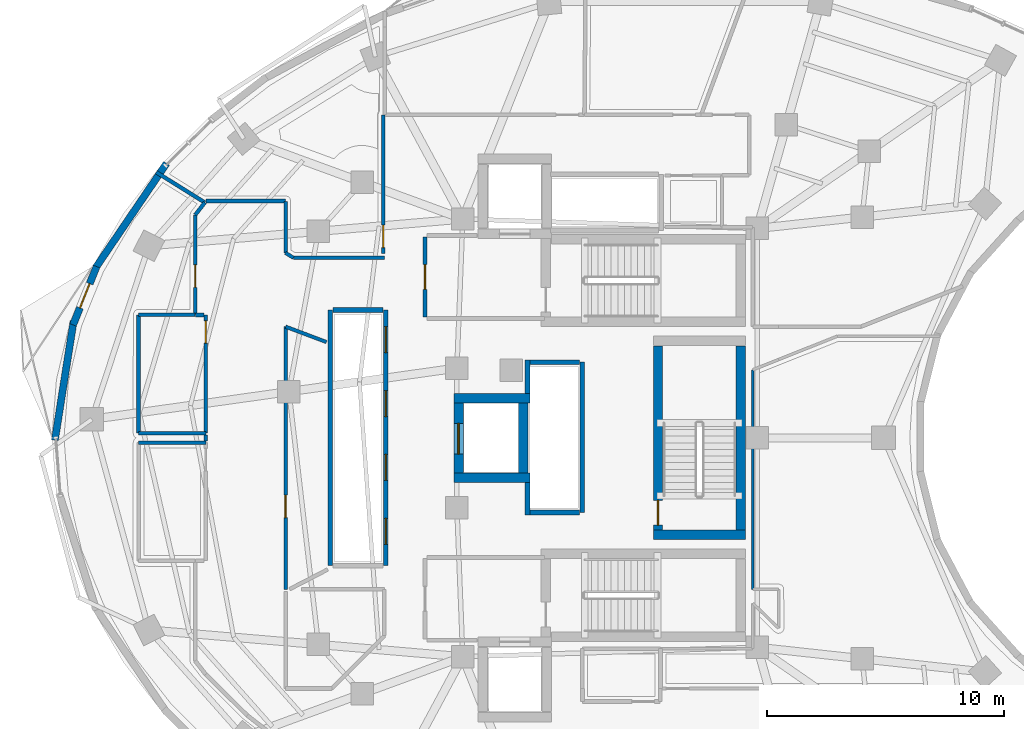
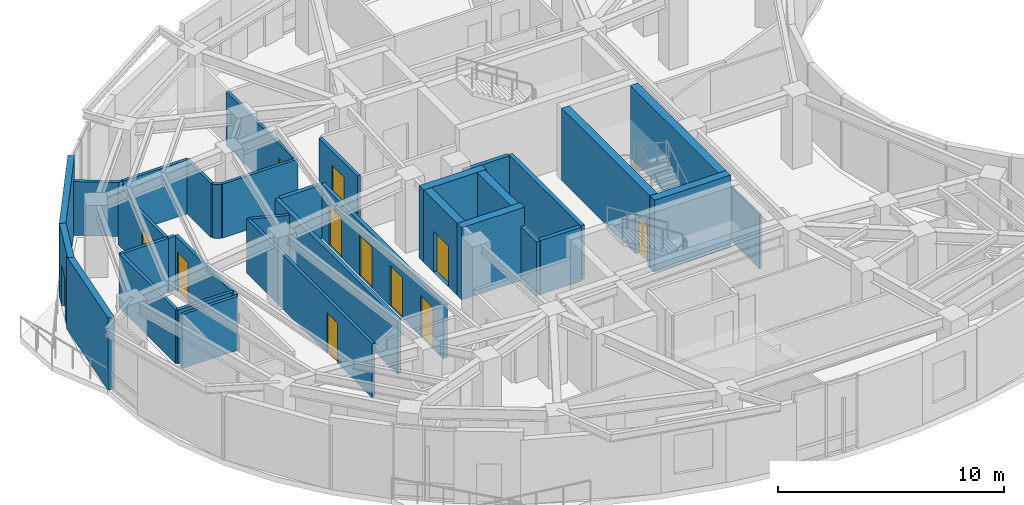
# One storey, part 8 of 13: 37 walls, 12 doors, 12 openings.
"""IFC4 building model written with IfcOpenShell, lengths in metres."""

from ifc_helpers import new_model, si_unit, direction, frame, frame_2d, origin, place, context, subcontext, project, spatial, rectangle, extrude, material, layer, layer_set, type_object, element, fill, save


model = new_model("IFC4")

# Units and contexts
model_context = context("Model", 3, precision=1e-05, world=origin(), true_north=direction((0.0, 1.0)))
body_context = subcontext(model_context, "Body", "Model", "MODEL_VIEW")
ifc_project = project(units=[si_unit("LENGTHUNIT", "METRE"), si_unit("AREAUNIT", "SQUARE_METRE"), si_unit("VOLUMEUNIT", "CUBIC_METRE"), si_unit("PLANEANGLEUNIT", "RADIAN"), si_unit("MASSUNIT", "GRAM", prefix="KILO")], contexts=[model_context])

# Site, building, storey
site_placement = place(None, origin())
site = spatial("IfcSite", under=ifc_project, at=site_placement, CompositionType="ELEMENT")
building_placement = place(site_placement, origin())
building = spatial("IfcBuilding", under=site, at=building_placement, Name="Korentha Bioscience Tower", CompositionType="ELEMENT")
storey_placement = place(building_placement, frame((0.0, 0.0, 187.800048828125)))
storey = spatial("IfcBuildingStorey", under=building, at=storey_placement, Name="L43", CompositionType="ELEMENT", Elevation=187.800048828125)

# Wall, opening, door
ifc_material_1 = material(Name="Double-Stud Acoustic Gypsum", Category="gypsum")
ifc_layer_1 = layer(ifc_material_1, 0.14990234375, Name="Double-Stud Acoustic Gypsum")
ifc_layer_set_1 = layer_set([ifc_layer_1], Name="Double-Stud Acoustic Gypsum (IW-L150)")
wall_type_1 = type_object("IfcWallType", Name="Acoustic Laboratory Partition Wall 150", PredefinedType="PARTITIONING", material=ifc_layer_set_1)
wall_1_placement = place(storey_placement, frame((17.610107421875, 20.60205078125, 0.0), z_axis=(0.0, 0.0, 1.0), x_axis=(0.0, 1.0, 0.0)))
wall_1 = element("IfcWall", 1, at=wall_1_placement, inside=storey, type_object=wall_type_1, Name="L43 Biomechanical Motion Analysis Lab 02 Entrance Wall", PredefinedType="PARTITIONING", context=body_context, shape_type="SweptSolid", body=[
    extrude(rectangle(XDim=11.095947265625, YDim=0.14990234375, at=frame_2d((5.5478515625, 0.0))), origin(), (0.0, 0.0, 1.0), 2.909912109375),
])
opening_1_placement = place(wall_1_placement, frame((3.030029296875, 0.0, 0.0)))
opening_1 = element("IfcOpeningElement", 2, at=opening_1_placement, cuts=wall_1, Name="Opening ID-10L", PredefinedType="OPENING", context=body_context, shape_type="SweptSolid", body=[
    extrude(rectangle(XDim=0.949951171875, YDim=2.14990234375, at=frame_2d((0.47509765625, 1.074951171875))), frame((0.0, 0.08984375, 0.0), z_axis=(0.0, -1.0, 0.0), x_axis=(1.0, 0.0, 0.0)), (0.0, 0.0, 1.0), 0.1796875),
])
ifc_material_2 = material(Name="Phenolic Laminate Timber Core", Category="wood")
door_type_1 = type_object("IfcDoorType", Name="Laboratory Single Leaf Door 950x2150 Left", OperationType="SINGLE_SWING_LEFT", PredefinedType="DOOR", material=ifc_material_2)
door_1_placement = place(opening_1_placement, origin())
door_1 = element("IfcDoor", 3, at=door_1_placement, inside=storey, type_object=door_type_1, Name="L43 Biomechanical Motion Analysis Lab 02 Door", OperationType="SINGLE_SWING_LEFT", OverallHeight=2.14990234375, OverallWidth=0.949951171875, PredefinedType="DOOR", context=body_context, shape_type="SweptSolid", body=[
    extrude(rectangle(XDim=0.949951171875, YDim=2.14990234375, at=frame_2d((0.47509765625, 1.074951171875))), frame((0.0, 0.02490234375, 0.0), z_axis=(0.0, -1.0, 0.0), x_axis=(1.0, 0.0, 0.0)), (0.0, 0.0, 1.0), 0.050048828125),
])
fill(opening_1, door_1)

wall_2_placement = place(storey_placement, frame((21.739990234375, 40.64990234375, 0.0), z_axis=(0.0, 0.0, 1.0), x_axis=(0.0, -1.0, 0.0)))
wall_2 = element("IfcWall", 4, at=wall_2_placement, inside=storey, type_object=wall_type_1, Name="L43 Automated High-Throughput Assay Lab 09 Entrance Wall", PredefinedType="PARTITIONING", context=body_context, shape_type="SweptSolid", body=[
    extrude(rectangle(XDim=5.849853515625, YDim=0.14990234375, at=frame_2d((2.9248046875, 0.0))), origin(), (0.0, 0.0, 1.0), 2.909912109375),
])
opening_2_placement = place(wall_2_placement, frame((4.659912109375, 0.0, 0.0)))
opening_2 = element("IfcOpeningElement", 5, at=opening_2_placement, cuts=wall_2, Name="Opening ID-10R", PredefinedType="OPENING", context=body_context, shape_type="SweptSolid", body=[
    extrude(rectangle(XDim=0.949951171875, YDim=2.14990234375, at=frame_2d((0.47509765625, 1.074951171875))), frame((0.0, 0.08984375, 0.0), z_axis=(0.0, -1.0, 0.0), x_axis=(1.0, 0.0, 0.0)), (0.0, 0.0, 1.0), 0.1796875),
])
door_type_2 = type_object("IfcDoorType", Name="Laboratory Single Leaf Door 950x2150 Right", OperationType="SINGLE_SWING_RIGHT", PredefinedType="DOOR", material=ifc_material_2)
door_2_placement = place(opening_2_placement, origin())
door_2 = element("IfcDoor", 6, at=door_2_placement, inside=storey, type_object=door_type_2, Name="L43 Automated High-Throughput Assay Lab 09 Door", OperationType="SINGLE_SWING_RIGHT", OverallHeight=2.14990234375, OverallWidth=0.949951171875, PredefinedType="DOOR", context=body_context, shape_type="SweptSolid", body=[
    extrude(rectangle(XDim=0.949951171875, YDim=2.14990234375, at=frame_2d((0.47509765625, 1.074951171875))), frame((0.0, 0.02490234375, 0.0), z_axis=(0.0, -1.0, 0.0), x_axis=(1.0, 0.0, 0.0)), (0.0, 0.0, 1.0), 0.050048828125),
])
fill(opening_2, door_2)

# Walls
wall_3_placement = place(storey_placement, frame((11.39990234375, 26.800048828125, 0.0), z_axis=(0.0, 0.0, 1.0), x_axis=(1.0, 0.0, 0.0)))
element("IfcWall", 7, at=wall_3_placement, inside=storey, type_object=wall_type_1, Name="L43 Interior Partition 024", PredefinedType="PARTITIONING", context=body_context, shape_type="SweptSolid", body=[
    extrude(rectangle(XDim=2.840087890625, YDim=0.14990234375, at=frame_2d((1.419921875, 0.0))), origin(), (0.0, 0.0, 1.0), 2.909912109375),
])
wall_4_placement = place(storey_placement, frame((17.615966796875, 31.697998046875, 0.0), z_axis=(0.0, 0.0, 1.0), x_axis=(0.936061955156, -0.351835211583, 0.0)))
element("IfcWall", 8, at=wall_4_placement, inside=storey, type_object=wall_type_1, Name="L43 Interior Partition 037", PredefinedType="PARTITIONING", context=body_context, shape_type="SweptSolid", body=[
    extrude(rectangle(XDim=1.841552734375, YDim=0.14990234375, at=frame_2d((0.9208984375, 0.0))), origin(), (0.0, 0.0, 1.0), 2.909912109375),
])
wall_5_placement = place(storey_placement, frame((21.7900390625, 34.610107421875, 0.0), z_axis=(0.0, 0.0, 1.0), x_axis=(-1.0, 0.0, 0.0)))
element("IfcWall", 9, at=wall_5_placement, inside=storey, type_object=wall_type_1, Name="L43 Interior Partition 070", PredefinedType="PARTITIONING", context=body_context, shape_type="SweptSolid", body=[
    extrude(rectangle(XDim=3.844482421875, YDim=0.14990234375, at=frame_2d((1.92236328125, 0.0))), origin(), (0.0, 0.0, 1.0), 2.909912109375),
])
wall_6_placement = place(storey_placement, frame((17.945556640625, 34.610107421875, 0.0), z_axis=(0.0, 0.0, 1.0), x_axis=(-0.84820632616, 0.529665959131, 0.0)))
element("IfcWall", 10, at=wall_6_placement, inside=storey, type_object=wall_type_1, Name="L43 Interior Partition 071", PredefinedType="PARTITIONING", context=body_context, shape_type="SweptSolid", body=[
    extrude(rectangle(XDim=0.3955078125, YDim=0.14990234375, at=frame_2d((0.19775390625, 0.0))), origin(), (0.0, 0.0, 1.0), 2.909912109375),
])
wall_7_placement = place(storey_placement, frame((17.610107421875, 34.819580078125, 0.0), z_axis=(0.0, 0.0, 1.0), x_axis=(0.0, 1.0, 0.0)))
element("IfcWall", 11, at=wall_7_placement, inside=storey, type_object=wall_type_1, Name="L43 Interior Partition 072", PredefinedType="PARTITIONING", context=body_context, shape_type="SweptSolid", body=[
    extrude(rectangle(XDim=2.180419921875, YDim=0.14990234375, at=frame_2d((1.09033203125, 0.0))), origin(), (0.0, 0.0, 1.0), 2.909912109375),
])
wall_8_placement = place(storey_placement, frame((17.60009765625, 37.010009765625, 0.0), z_axis=(0.0, 0.0, 1.0), x_axis=(-1.0, 0.0, 0.0)))
element("IfcWall", 12, at=wall_8_placement, inside=storey, type_object=wall_type_1, Name="L43 Interior Partition 073", PredefinedType="PARTITIONING", context=body_context, shape_type="SweptSolid", body=[
    extrude(rectangle(XDim=3.3447265625, YDim=0.14990234375, at=frame_2d((1.67236328125, 0.0))), origin(), (0.0, 0.0, 1.0), 2.909912109375),
])
ifc_material_3 = material(Name="Fire-Rated Framed Glass", Category="glass")
ifc_layer_2 = layer(ifc_material_3, 0.110107421875, Name="Fire-Rated Framed Glass")
ifc_layer_set_2 = layer_set([ifc_layer_2], Name="Fire-Rated Framed Glass (IW-G110)")
wall_type_2 = type_object("IfcWallType", Name="Demountable Glazed Office Partition 110", PredefinedType="MOVABLE", material=ifc_layer_set_2)
wall_9_placement = place(storey_placement, frame((37.360107421875, 20.60205078125, 0.0), z_axis=(0.0, 0.0, 1.0), x_axis=(0.0, 1.0, 0.0)))
element("IfcWall", 13, at=wall_9_placement, inside=storey, type_object=wall_type_2, Name="L43 Interior Partition 051", PredefinedType="MOVABLE", context=body_context, shape_type="SweptSolid", body=[
    extrude(rectangle(XDim=9.27685546875, YDim=0.110107421875, at=frame_2d((4.638427734375, 0.0))), origin(), (0.0, 0.0, 1.0), 2.909912109375),
])

# Wall, opening, door
ifc_material_4 = material(Name="Gypsum-Clad Steel Stud", Category="steel")
ifc_layer_3 = layer(ifc_material_4, 0.159912109375, Name="Gypsum-Clad Steel Stud")
ifc_layer_set_3 = layer_set([ifc_layer_3], Name="Gypsum-Clad Steel Stud (IW-C160)")
wall_type_3 = type_object("IfcWallType", Name="Fire-Rated Corridor Partition Wall 160", PredefinedType="PARTITIONING", material=ifc_layer_set_3)
wall_10_placement = place(storey_placement, frame((23.5, 32.10009765625, 0.0), z_axis=(0.0, 0.0, 1.0), x_axis=(0.0, 1.0, 0.0)))
wall_10 = element("IfcWall", 14, at=wall_10_placement, inside=storey, type_object=wall_type_3, Name="L43 FFLN-CW Rated Enclosure Wall", PredefinedType="PARTITIONING", context=body_context, shape_type="SweptSolid", body=[
    extrude(rectangle(XDim=3.39990234375, YDim=0.159912109375, at=frame_2d((1.699951171875, 0.0))), origin(), (0.0, 0.0, 1.0), 2.909912109375),
])
opening_3_placement = place(wall_10_placement, frame((1.175048828125, 0.0, 0.0)))
opening_3 = element("IfcOpeningElement", 15, at=opening_3_placement, cuts=wall_10, Name="Opening FD-90R", PredefinedType="OPENING", context=body_context, shape_type="SweptSolid", body=[
    extrude(rectangle(XDim=1.050048828125, YDim=2.14990234375, at=frame_2d((0.52490234375, 1.074951171875))), frame((0.0, 0.0947265625, 0.0), z_axis=(0.0, -1.0, 0.0), x_axis=(1.0, 0.0, 0.0)), (0.0, 0.0, 1.0), 0.189697265625),
])
ifc_material_5 = material(Name="Powder-Coated Fire-Rated Steel", Category="steel")
door_type_3 = type_object("IfcDoorType", Name="Stairwell Fire Exit Door 1050x2150 Right", OperationType="SINGLE_SWING_RIGHT", PredefinedType="DOOR", material=ifc_material_5)
door_3_placement = place(opening_3_placement, origin())
door_3 = element("IfcDoor", 16, at=door_3_placement, inside=storey, type_object=door_type_3, Name="L43 North Firefighting Lobby Door", OperationType="SINGLE_SWING_RIGHT", OverallHeight=2.14990234375, OverallWidth=1.050048828125, PredefinedType="DOOR", context=body_context, shape_type="SweptSolid", body=[
    extrude(rectangle(XDim=1.050048828125, YDim=2.14990234375, at=frame_2d((0.52490234375, 1.074951171875))), frame((0.0, 0.02490234375, 0.0), z_axis=(0.0, -1.0, 0.0), x_axis=(1.0, 0.0, 0.0)), (0.0, 0.0, 1.0), 0.050048828125),
])
fill(opening_3, door_3)

wall_11_placement = place(storey_placement, frame((14.239990234375, 32.18994140625, 0.0), z_axis=(0.0, 0.0, 1.0), x_axis=(0.0, -1.0, 0.0)))
wall_11 = element("IfcWall", 17, at=wall_11_placement, inside=storey, type_object=wall_type_3, Name="L43 Reclaimed Bank-1 Glassware Store Entrance Wall", PredefinedType="PARTITIONING", context=body_context, shape_type="SweptSolid", body=[
    extrude(rectangle(XDim=4.989990234375, YDim=0.159912109375, at=frame_2d((2.4951171875, 0.0))), origin(), (0.0, 0.0, 1.0), 2.909912109375),
])
opening_4_placement = place(wall_11_placement, frame((0.239990234375, 0.0, 0.0)))
opening_4 = element("IfcOpeningElement", 18, at=opening_4_placement, cuts=wall_11, Name="Opening ID-10L", PredefinedType="OPENING", context=body_context, shape_type="SweptSolid", body=[
    extrude(rectangle(XDim=0.949951171875, YDim=2.14990234375, at=frame_2d((0.47509765625, 1.074951171875))), frame((0.0, 0.0947265625, 0.0), z_axis=(0.0, -1.0, 0.0), x_axis=(1.0, 0.0, 0.0)), (0.0, 0.0, 1.0), 0.189697265625),
])
door_4_placement = place(opening_4_placement, origin())
door_4 = element("IfcDoor", 19, at=door_4_placement, inside=storey, type_object=door_type_1, Name="L43 Reclaimed Bank-1 Glassware Store Door", OperationType="SINGLE_SWING_LEFT", OverallHeight=2.14990234375, OverallWidth=0.949951171875, PredefinedType="DOOR", context=body_context, shape_type="SweptSolid", body=[
    extrude(rectangle(XDim=0.949951171875, YDim=2.14990234375, at=frame_2d((0.47509765625, 1.074951171875))), frame((0.0, 0.02490234375, 0.0), z_axis=(0.0, -1.0, 0.0), x_axis=(1.0, 0.0, 0.0)), (0.0, 0.0, 1.0), 0.050048828125),
])
fill(opening_4, door_4)

wall_12_placement = place(storey_placement, frame((13.7900390625, 36.41748046875, 0.0), z_axis=(0.0, 0.0, 1.0), x_axis=(0.0, -1.0, 0.0)))
wall_12 = element("IfcWall", 20, at=wall_12_placement, inside=storey, type_object=wall_type_3, Name="L43 Biospecimen Archive Store 01 Entrance Wall", PredefinedType="PARTITIONING", context=body_context, shape_type="SweptSolid", body=[
    extrude(rectangle(XDim=4.20751953125, YDim=0.159912109375, at=frame_2d((2.103759765625, 0.0))), origin(), (0.0, 0.0, 1.0), 2.909912109375),
])
opening_5_placement = place(wall_12_placement, frame((2.110595703125, 0.0, 0.0)))
opening_5 = element("IfcOpeningElement", 21, at=opening_5_placement, cuts=wall_12, Name="Opening ID-10R", PredefinedType="OPENING", context=body_context, shape_type="SweptSolid", body=[
    extrude(rectangle(XDim=0.949951171875, YDim=2.14990234375, at=frame_2d((0.47509765625, 1.074951171875))), frame((0.0, 0.0947265625, 0.0), z_axis=(0.0, -1.0, 0.0), x_axis=(1.0, 0.0, 0.0)), (0.0, 0.0, 1.0), 0.189697265625),
])
door_5_placement = place(opening_5_placement, origin())
door_5 = element("IfcDoor", 22, at=door_5_placement, inside=storey, type_object=door_type_2, Name="L43 Biospecimen Archive Store 01 Door", OperationType="SINGLE_SWING_RIGHT", OverallHeight=2.14990234375, OverallWidth=0.949951171875, PredefinedType="DOOR", context=body_context, shape_type="SweptSolid", body=[
    extrude(rectangle(XDim=0.949951171875, YDim=2.14990234375, at=frame_2d((0.47509765625, 1.074951171875))), frame((0.0, 0.02490234375, 0.0), z_axis=(0.0, -1.0, 0.0), x_axis=(1.0, 0.0, 0.0)), (0.0, 0.0, 1.0), 0.050048828125),
])
fill(opening_5, door_5)

# Walls
wall_13_placement = place(storey_placement, frame((13.800048828125, 32.18994140625, 0.0), z_axis=(0.0, 0.0, 1.0), x_axis=(1.0, 0.0, 0.0)))
element("IfcWall", 23, at=wall_13_placement, inside=storey, type_object=wall_type_3, Name="L43 Interior Partition 025", PredefinedType="PARTITIONING", context=body_context, shape_type="SweptSolid", body=[
    extrude(rectangle(XDim=0.35693359375, YDim=0.159912109375, at=frame_2d((0.178466796875, 0.0))), origin(), (0.0, 0.0, 1.0), 2.909912109375),
])
wall_14_placement = place(storey_placement, frame((14.239990234375, 27.199951171875, 0.0), z_axis=(0.0, 0.0, 1.0), x_axis=(-1.0, 0.0, 0.0)))
element("IfcWall", 24, at=wall_14_placement, inside=storey, type_object=wall_type_3, Name="L43 Interior Partition 026", PredefinedType="PARTITIONING", context=body_context, shape_type="SweptSolid", body=[
    extrude(rectangle(XDim=2.840087890625, YDim=0.159912109375, at=frame_2d((1.419921875, 0.0))), origin(), (0.0, 0.0, 1.0), 2.909912109375),
])
wall_15_placement = place(storey_placement, frame((11.39990234375, 27.199951171875, 0.0), z_axis=(0.0, 0.0, 1.0), x_axis=(0.0, 1.0, 0.0)))
element("IfcWall", 25, at=wall_15_placement, inside=storey, type_object=wall_type_3, Name="L43 Interior Partition 027", PredefinedType="PARTITIONING", context=body_context, shape_type="SweptSolid", body=[
    extrude(rectangle(XDim=5.0, YDim=0.159912109375, at=frame_2d((2.5, 0.0))), origin(), (0.0, 0.0, 1.0), 2.909912109375),
])
wall_16_placement = place(storey_placement, frame((11.39990234375, 32.199951171875, 0.0), z_axis=(0.0, 0.0, 1.0), x_axis=(1.0, 0.0, 0.0)))
element("IfcWall", 26, at=wall_16_placement, inside=storey, type_object=wall_type_3, Name="L43 Interior Partition 028", PredefinedType="PARTITIONING", context=body_context, shape_type="SweptSolid", body=[
    extrude(rectangle(XDim=2.39013671875, YDim=0.159912109375, at=frame_2d((1.195068359375, 0.0))), origin(), (0.0, 0.0, 1.0), 2.909912109375),
])
wall_17_placement = place(storey_placement, frame((12.146484375, 38.22900390625, 0.0), z_axis=(0.0, 0.0, 1.0), x_axis=(0.848066263041, -0.529890190031, 0.0)))
element("IfcWall", 27, at=wall_17_placement, inside=storey, type_object=wall_type_3, Name="L43 Interior Partition 029", PredefinedType="PARTITIONING", context=body_context, shape_type="SweptSolid", body=[
    extrude(rectangle(XDim=2.421630859375, YDim=0.159912109375, at=frame_2d((1.2109375, 0.0))), origin(), (0.0, 0.0, 1.0), 2.909912109375),
])
wall_18_placement = place(storey_placement, frame((14.2001953125, 36.94580078125, 0.0), z_axis=(0.0, 0.0, 1.0), x_axis=(-0.615851305214, -0.787862405415, 0.0)))
element("IfcWall", 28, at=wall_18_placement, inside=storey, type_object=wall_type_3, Name="L43 Interior Partition 030", PredefinedType="PARTITIONING", context=body_context, shape_type="SweptSolid", body=[
    extrude(rectangle(XDim=0.662841796875, YDim=0.159912109375, at=frame_2d((0.33154296875, 0.0))), origin(), (0.0, 0.0, 1.0), 2.909912109375),
])
wall_19_placement = place(storey_placement, frame((14.239990234375, 27.116943359375, 0.0), z_axis=(0.0, 0.0, 1.0), x_axis=(0.0, -1.0, 0.0)))
element("IfcWall", 29, at=wall_19_placement, inside=storey, type_object=wall_type_3, Name="L43 Interior Partition 031", PredefinedType="PARTITIONING", context=body_context, shape_type="SweptSolid", body=[
    extrude(rectangle(XDim=0.239013671875, YDim=0.159912109375, at=frame_2d((0.11962890625, 0.0))), origin(), (0.0, 0.0, 1.0), 2.909912109375),
])

# Wall, opening, door
ifc_material_6 = material(Name="Honed Limestone Precast Concrete C40", Category="masonry")
ifc_layer_4 = layer(ifc_material_6, 0.300048828125, Name="Honed Limestone Precast Concrete C40")
ifc_layer_set_4 = layer_set([ifc_layer_4], Name="Honed Limestone Precast Concrete C40 (EW-ST300)")
wall_type_4 = type_object("IfcWallType", Name="Honed Limestone Cavity Spandrel Wall 300", PredefinedType="STANDARD", material=ifc_layer_set_4)
wall_20_placement = place(storey_placement, frame((9.625732421875, 34.2421875, 0.0), z_axis=(0.0, 0.0, 1.0), x_axis=(-0.373983610438, -0.927435312636, 0.0)))
wall_20 = element("IfcWall", 30, at=wall_20_placement, inside=storey, type_object=wall_type_4, Name="L43 Balcony Threshold Wall 02", PredefinedType="STANDARD", context=body_context, shape_type="SweptSolid", body=[
    extrude(rectangle(XDim=2.660888671875, YDim=0.300048828125, at=frame_2d((1.33056640625, 0.0))), origin(), (0.0, 0.0, 1.0), 3.89990234375),
])
opening_6_placement = place(wall_20_placement, frame((0.780517578125, 0.0, 0.0)))
opening_6 = element("IfcOpeningElement", 31, at=opening_6_placement, cuts=wall_20, Name="Opening BD-11R", PredefinedType="OPENING", context=body_context, shape_type="SweptSolid", body=[
    extrude(rectangle(XDim=1.10009765625, YDim=2.14990234375, at=frame_2d((0.550048828125, 1.074951171875))), frame((0.0, 0.1650390625, 0.0), z_axis=(0.0, -1.0, 0.0), x_axis=(1.0, 0.0, 0.0)), (0.0, 0.0, 1.0), 0.329833984375),
])
ifc_material_7 = material(Name="Thermally Broken Glazed Aluminium", Category="aluminium")
door_type_4 = type_object("IfcDoorType", Name="Balcony Terrace Glazed Door 1100x2150 Right", OperationType="SINGLE_SWING_RIGHT", PredefinedType="DOOR", material=ifc_material_7)
door_6_placement = place(opening_6_placement, origin())
door_6 = element("IfcDoor", 32, at=door_6_placement, inside=storey, type_object=door_type_4, Name="L43 Balcony Access Door 02", OperationType="SINGLE_SWING_RIGHT", OverallHeight=2.14990234375, OverallWidth=1.10009765625, PredefinedType="DOOR", context=body_context, shape_type="SweptSolid", body=[
    extrude(rectangle(XDim=1.10009765625, YDim=2.14990234375, at=frame_2d((0.550048828125, 1.074951171875))), frame((0.0, 0.02490234375, 0.0), z_axis=(0.0, -1.0, 0.0), x_axis=(1.0, 0.0, 0.0)), (0.0, 0.0, 1.0), 0.050048828125),
])
fill(opening_6, door_6)

# Walls
wall_21_placement = place(storey_placement, frame((12.580078125, 38.6005859375, 0.0), z_axis=(0.0, 0.0, 1.0), x_axis=(-0.561663900064, -0.827365495634, 0.0)))
element("IfcWall", 33, at=wall_21_placement, inside=storey, type_object=wall_type_4, Name="L43 Limestone Perimeter Closure Wall 14", PredefinedType="STANDARD", context=body_context, shape_type="SweptSolid", body=[
    extrude(rectangle(XDim=5.437744140625, YDim=0.300048828125, at=frame_2d((2.71875, 0.0))), origin(), (0.0, 0.0, 1.0), 3.89990234375),
])
wall_22_placement = place(storey_placement, frame((8.6552734375, 31.947021484375, 0.0), z_axis=(0.0, 0.0, 1.0), x_axis=(-0.155280464429, -0.987870425393, 0.0)))
element("IfcWall", 34, at=wall_22_placement, inside=storey, type_object=wall_type_4, Name="L43 Limestone Perimeter Closure Wall 17", PredefinedType="STANDARD", context=body_context, shape_type="SweptSolid", body=[
    extrude(rectangle(XDim=5.10986328125, YDim=0.300048828125, at=frame_2d((2.554931640625, 0.0))), origin(), (0.0, 0.0, 1.0), 3.89990234375),
])
ifc_material_8 = material(Name="Autoclaved Aerated Concrete Block C25", Category="concrete")
ifc_layer_5 = layer(ifc_material_8, 0.199951171875, Name="Autoclaved Aerated Concrete Block C25")
ifc_layer_set_5 = layer_set([ifc_layer_5], Name="Autoclaved Aerated Concrete Block C25 (IW-S200)")
wall_type_5 = type_object("IfcWallType", Name="Lift and Riser Shaft Enclosure Wall 200", PredefinedType="PARTITIONING", material=ifc_layer_set_5)
wall_23_placement = place(storey_placement, frame((19.5, 21.60009765625, 0.0), z_axis=(0.0, 0.0, 1.0), x_axis=(0.0, 1.0, 0.0)))
element("IfcWall", 35, at=wall_23_placement, inside=storey, type_object=wall_type_5, Name="L43 Lift Bank MID Shaft Wall -X", PredefinedType="PARTITIONING", context=body_context, shape_type="SweptSolid", body=[
    extrude(rectangle(XDim=10.7998046875, YDim=0.199951171875, at=frame_2d((5.39990234375, 0.0))), origin(), (0.0, 0.0, 1.0), 2.909912109375),
])

# Wall, openings, doors
wall_24_placement = place(storey_placement, frame((21.85009765625, 21.60009765625, 0.0), z_axis=(0.0, 0.0, 1.0), x_axis=(0.0, 1.0, 0.0)))
wall_24 = element("IfcWall", 36, at=wall_24_placement, inside=storey, type_object=wall_type_5, Name="L43 Lift Bank MID Shaft Wall +X", PredefinedType="PARTITIONING", context=body_context, shape_type="SweptSolid", body=[
    extrude(rectangle(XDim=10.7998046875, YDim=0.199951171875, at=frame_2d((5.39990234375, 0.0))), origin(), (0.0, 0.0, 1.0), 2.909912109375),
])
opening_7_placement = place(wall_24_placement, frame((0.89990234375, 0.0, 0.0)))
opening_7 = element("IfcOpeningElement", 37, at=opening_7_placement, cuts=wall_24, Name="Opening LD-11", PredefinedType="OPENING", context=body_context, shape_type="SweptSolid", body=[
    extrude(rectangle(XDim=1.10009765625, YDim=2.199951171875, at=frame_2d((0.550048828125, 1.10009765625))), frame((0.0, 0.11474609375, 0.0), z_axis=(0.0, -1.0, 0.0), x_axis=(1.0, 0.0, 0.0)), (0.0, 0.0, 1.0), 0.229736328125),
])
opening_8_placement = place(wall_24_placement, frame((3.60009765625, 0.0, 0.0)))
opening_8 = element("IfcOpeningElement", 38, at=opening_8_placement, cuts=wall_24, Name="Opening LD-11", PredefinedType="OPENING", context=body_context, shape_type="SweptSolid", body=[
    extrude(rectangle(XDim=1.10009765625, YDim=2.199951171875, at=frame_2d((0.550048828125, 1.10009765625))), frame((0.0, 0.11474609375, 0.0), z_axis=(0.0, -1.0, 0.0), x_axis=(1.0, 0.0, 0.0)), (0.0, 0.0, 1.0), 0.229736328125),
])
opening_9_placement = place(wall_24_placement, frame((6.300048828125, 0.0, 0.0)))
opening_9 = element("IfcOpeningElement", 39, at=opening_9_placement, cuts=wall_24, Name="Opening LD-11", PredefinedType="OPENING", context=body_context, shape_type="SweptSolid", body=[
    extrude(rectangle(XDim=1.10009765625, YDim=2.199951171875, at=frame_2d((0.550048828125, 1.10009765625))), frame((0.0, 0.11474609375, 0.0), z_axis=(0.0, -1.0, 0.0), x_axis=(1.0, 0.0, 0.0)), (0.0, 0.0, 1.0), 0.229736328125),
])
opening_10_placement = place(wall_24_placement, frame((9.0, 0.0, 0.0)))
opening_10 = element("IfcOpeningElement", 40, at=opening_10_placement, cuts=wall_24, Name="Opening LD-11", PredefinedType="OPENING", context=body_context, shape_type="SweptSolid", body=[
    extrude(rectangle(XDim=1.10009765625, YDim=2.199951171875, at=frame_2d((0.550048828125, 1.10009765625))), frame((0.0, 0.11474609375, 0.0), z_axis=(0.0, -1.0, 0.0), x_axis=(1.0, 0.0, 0.0)), (0.0, 0.0, 1.0), 0.229736328125),
])
ifc_material_9 = material(Name="Brushed Stainless Steel 304", Category="steel")
door_type_5 = type_object("IfcDoorType", Name="Passenger Lift Sliding Landing Door 1100x2200", OperationType="DOUBLE_DOOR_SLIDING", PredefinedType="DOOR", material=ifc_material_9)
door_7_placement = place(opening_7_placement, origin())
door_7 = element("IfcDoor", 41, at=door_7_placement, inside=storey, type_object=door_type_5, Name="L43 PL-M1 Sliding Lift Landing Door", OperationType="DOUBLE_DOOR_SLIDING", OverallHeight=2.199951171875, OverallWidth=1.10009765625, PredefinedType="DOOR", context=body_context, shape_type="SweptSolid", body=[
    extrude(rectangle(XDim=1.10009765625, YDim=2.199951171875, at=frame_2d((0.550048828125, 1.10009765625))), frame((0.0, 0.02490234375, 0.0), z_axis=(0.0, -1.0, 0.0), x_axis=(1.0, 0.0, 0.0)), (0.0, 0.0, 1.0), 0.050048828125),
])
fill(opening_7, door_7)
door_8_placement = place(opening_8_placement, origin())
door_8 = element("IfcDoor", 42, at=door_8_placement, inside=storey, type_object=door_type_5, Name="L43 PL-M2 Sliding Lift Landing Door", OperationType="DOUBLE_DOOR_SLIDING", OverallHeight=2.199951171875, OverallWidth=1.10009765625, PredefinedType="DOOR", context=body_context, shape_type="SweptSolid", body=[
    extrude(rectangle(XDim=1.10009765625, YDim=2.199951171875, at=frame_2d((0.550048828125, 1.10009765625))), frame((0.0, 0.02490234375, 0.0), z_axis=(0.0, -1.0, 0.0), x_axis=(1.0, 0.0, 0.0)), (0.0, 0.0, 1.0), 0.050048828125),
])
fill(opening_8, door_8)
door_9_placement = place(opening_9_placement, origin())
door_9 = element("IfcDoor", 43, at=door_9_placement, inside=storey, type_object=door_type_5, Name="L43 PL-M3 Sliding Lift Landing Door", OperationType="DOUBLE_DOOR_SLIDING", OverallHeight=2.199951171875, OverallWidth=1.10009765625, PredefinedType="DOOR", context=body_context, shape_type="SweptSolid", body=[
    extrude(rectangle(XDim=1.10009765625, YDim=2.199951171875, at=frame_2d((0.550048828125, 1.10009765625))), frame((0.0, 0.02490234375, 0.0), z_axis=(0.0, -1.0, 0.0), x_axis=(1.0, 0.0, 0.0)), (0.0, 0.0, 1.0), 0.050048828125),
])
fill(opening_9, door_9)
door_10_placement = place(opening_10_placement, origin())
door_10 = element("IfcDoor", 44, at=door_10_placement, inside=storey, type_object=door_type_5, Name="L43 PL-M4 Sliding Lift Landing Door", OperationType="DOUBLE_DOOR_SLIDING", OverallHeight=2.199951171875, OverallWidth=1.10009765625, PredefinedType="DOOR", context=body_context, shape_type="SweptSolid", body=[
    extrude(rectangle(XDim=1.10009765625, YDim=2.199951171875, at=frame_2d((0.550048828125, 1.10009765625))), frame((0.0, 0.02490234375, 0.0), z_axis=(0.0, -1.0, 0.0), x_axis=(1.0, 0.0, 0.0)), (0.0, 0.0, 1.0), 0.050048828125),
])
fill(opening_10, door_10)

# Walls
wall_25_placement = place(storey_placement, frame((19.6201171875, 32.39990234375, 0.0), z_axis=(0.0, 0.0, 1.0), x_axis=(1.0, 0.0, 0.0)))
element("IfcWall", 45, at=wall_25_placement, inside=storey, type_object=wall_type_5, Name="L43 Lift Bank MID Shaft Wall +Y", PredefinedType="PARTITIONING", context=body_context, shape_type="SweptSolid", body=[
    extrude(rectangle(XDim=2.10986328125, YDim=0.199951171875, at=frame_2d((1.054931640625, 0.0))), origin(), (0.0, 0.0, 1.0), 2.909912109375),
])
wall_26_placement = place(storey_placement, frame((27.830078125, 23.75, 0.0), z_axis=(0.0, 0.0, 1.0), x_axis=(0.0, 1.0, 0.0)))
element("IfcWall", 46, at=wall_26_placement, inside=storey, type_object=wall_type_5, Name="L43 Lift Bank HIGH Shaft Wall -XS", PredefinedType="PARTITIONING", context=body_context, shape_type="SweptSolid", body=[
    extrude(rectangle(XDim=1.365966796875, YDim=0.199951171875, at=frame_2d((0.68310546875, 0.0))), origin(), (0.0, 0.0, 1.0), 2.909912109375),
])
wall_27_placement = place(storey_placement, frame((27.830078125, 28.884033203125, 0.0), z_axis=(0.0, 0.0, 1.0), x_axis=(0.0, 1.0, 0.0)))
element("IfcWall", 47, at=wall_27_placement, inside=storey, type_object=wall_type_5, Name="L43 Lift Bank HIGH Shaft Wall -XN", PredefinedType="PARTITIONING", context=body_context, shape_type="SweptSolid", body=[
    extrude(rectangle(XDim=1.416015625, YDim=0.199951171875, at=frame_2d((0.7080078125, 0.0))), origin(), (0.0, 0.0, 1.0), 2.909912109375),
])
wall_28_placement = place(storey_placement, frame((30.14990234375, 23.85009765625, 0.0), z_axis=(0.0, 0.0, 1.0), x_axis=(0.0, 1.0, 0.0)))
element("IfcWall", 48, at=wall_28_placement, inside=storey, type_object=wall_type_5, Name="L43 Lift Bank HIGH Shaft Wall +X", PredefinedType="PARTITIONING", context=body_context, shape_type="SweptSolid", body=[
    extrude(rectangle(XDim=6.349853515625, YDim=0.199951171875, at=frame_2d((3.1748046875, 0.0))), origin(), (0.0, 0.0, 1.0), 2.909912109375),
])
for number, where, z_axis, x_axis, name in (
    (49, (27.93408203125, 23.85009765625, 0.0), (0.0, 0.0, 1.0), (1.0, 0.0, 0.0), "L43 Lift Bank HIGH Shaft Wall -Y"),
    (50, (27.93408203125, 30.199951171875, 0.0), (0.0, 0.0, 1.0), (1.0, 0.0, 0.0), "L43 Lift Bank HIGH Shaft Wall +Y"),
):
    element("IfcWall", number, at=place(storey_placement, frame(where, z_axis=z_axis, x_axis=x_axis)), inside=storey, type_object=wall_type_5, Name=name, PredefinedType="PARTITIONING", context=body_context, shape_type="SweptSolid", body=[
        extrude(rectangle(XDim=2.095947265625, YDim=0.199951171875, at=frame_2d((1.0478515625, 0.0))), origin(), (0.0, 0.0, 1.0), 2.909912109375),
    ])
ifc_material_10 = material(Name="Concrete C65", Category="concrete")
ifc_layer_6 = layer(ifc_material_10, 0.39990234375, Name="Concrete C65")
ifc_layer_set_6 = layer_set([ifc_layer_6], Name="Concrete C65 (CW-C65)")
wall_type_6 = type_object("IfcWallType", Name="Mid-Rise Core Shear Wall 400", PredefinedType="SHEAR", material=ifc_layer_set_6)
wall_29_placement = place(storey_placement, frame((33.14990234375, 22.89990234375, 0.0), z_axis=(0.0, 0.0, 1.0), x_axis=(1.0, 0.0, 0.0)))
element("IfcWall", 51, at=wall_29_placement, inside=storey, type_object=wall_type_6, Name="L43 Core Shear Wall ST3-S", PredefinedType="SHEAR", context=body_context, shape_type="SweptSolid", body=[
    extrude(rectangle(XDim=3.900146484375, YDim=0.39990234375, at=frame_2d((1.9501953125, 0.0))), origin(), (0.0, 0.0, 1.0), 3.89990234375),
])
wall_30_placement = place(storey_placement, frame((36.85009765625, 23.110107421875, 0.0), z_axis=(0.0, 0.0, 1.0), x_axis=(0.0, 1.0, 0.0)))
element("IfcWall", 52, at=wall_30_placement, inside=storey, type_object=wall_type_6, Name="L43 Core Shear Wall ST3-E", PredefinedType="SHEAR", context=body_context, shape_type="SweptSolid", body=[
    extrude(rectangle(XDim=7.77978515625, YDim=0.39990234375, at=frame_2d((3.889892578125, 0.0))), origin(), (0.0, 0.0, 1.0), 3.89990234375),
])

# Wall, opening, door
wall_31_placement = place(storey_placement, frame((33.35009765625, 23.110107421875, 0.0), z_axis=(0.0, 0.0, 1.0), x_axis=(0.0, 1.0, 0.0)))
wall_31 = element("IfcWall", 53, at=wall_31_placement, inside=storey, type_object=wall_type_6, Name="L43 Core Shear Wall ST3-W", PredefinedType="SHEAR", context=body_context, shape_type="SweptSolid", body=[
    extrude(rectangle(XDim=7.77978515625, YDim=0.39990234375, at=frame_2d((3.889892578125, 0.0))), origin(), (0.0, 0.0, 1.0), 3.89990234375),
])
opening_11_placement = place(wall_31_placement, frame((0.199951171875, 0.0, 0.0)))
opening_11 = element("IfcOpeningElement", 54, at=opening_11_placement, cuts=wall_31, Name="Opening FD-90R", PredefinedType="OPENING", context=body_context, shape_type="SweptSolid", body=[
    extrude(rectangle(XDim=1.050048828125, YDim=2.14990234375, at=frame_2d((0.52490234375, 1.074951171875))), frame((0.0, 0.21484375, 0.0), z_axis=(0.0, -1.0, 0.0), x_axis=(1.0, 0.0, 0.0)), (0.0, 0.0, 1.0), 0.4296875),
])
door_11_placement = place(opening_11_placement, origin())
door_11 = element("IfcDoor", 55, at=door_11_placement, inside=storey, type_object=door_type_3, Name="L43 ST-3 Fire Exit Stair Door", OperationType="SINGLE_SWING_RIGHT", OverallHeight=2.14990234375, OverallWidth=1.050048828125, PredefinedType="DOOR", context=body_context, shape_type="SweptSolid", body=[
    extrude(rectangle(XDim=1.050048828125, YDim=2.14990234375, at=frame_2d((0.52490234375, 1.074951171875))), frame((0.0, 0.02490234375, 0.0), z_axis=(0.0, -1.0, 0.0), x_axis=(1.0, 0.0, 0.0)), (0.0, 0.0, 1.0), 0.050048828125),
])
fill(opening_11, door_11)

# Walls
for number, where, z_axis, x_axis, name in (
    (56, (24.719970703125, 28.679931640625, 0.0), (0.0, 0.0, 1.0), (1.0, 0.0, 0.0), "L43 Core Shear Wall SVL1-N"),
    (57, (24.719970703125, 25.320068359375, 0.0), (0.0, 0.0, 1.0), (1.0, 0.0, 0.0), "L43 Core Shear Wall SVL1-S"),
):
    element("IfcWall", number, at=place(storey_placement, frame(where, z_axis=z_axis, x_axis=x_axis)), inside=storey, type_object=wall_type_6, Name=name, PredefinedType="SHEAR", context=body_context, shape_type="SweptSolid", body=[
        extrude(rectangle(XDim=3.2099609375, YDim=0.39990234375, at=frame_2d((1.60498046875, 0.0))), origin(), (0.0, 0.0, 1.0), 3.89990234375),
    ])

# Wall, opening, door
wall_32_placement = place(storey_placement, frame((24.919921875, 25.52197265625, 0.0), z_axis=(0.0, 0.0, 1.0), x_axis=(0.0, 1.0, 0.0)))
wall_32 = element("IfcWall", 58, at=wall_32_placement, inside=storey, type_object=wall_type_6, Name="L43 Core Shear Wall SVL1-W", PredefinedType="SHEAR", context=body_context, shape_type="SweptSolid", body=[
    extrude(rectangle(XDim=2.9560546875, YDim=0.39990234375, at=frame_2d((1.47802734375, 0.0))), origin(), (0.0, 0.0, 1.0), 3.89990234375),
])
opening_12_placement = place(wall_32_placement, frame((0.7900390625, 0.0, 0.0)))
opening_12 = element("IfcOpeningElement", 59, at=opening_12_placement, cuts=wall_32, Name="Opening LD-13", PredefinedType="OPENING", context=body_context, shape_type="SweptSolid", body=[
    extrude(rectangle(XDim=1.300048828125, YDim=2.199951171875, at=frame_2d((0.64990234375, 1.10009765625))), frame((0.0, 0.21484375, 0.0), z_axis=(0.0, -1.0, 0.0), x_axis=(1.0, 0.0, 0.0)), (0.0, 0.0, 1.0), 0.4296875),
])
ifc_material_11 = material(Name="Brushed Stainless Steel 316", Category="steel")
door_type_6 = type_object("IfcDoorType", Name="Service & Firefighting Lift Landing Door 1300x2300", OperationType="DOUBLE_DOOR_SLIDING", PredefinedType="DOOR", material=ifc_material_11)
door_12_placement = place(opening_12_placement, origin())
door_12 = element("IfcDoor", 60, at=door_12_placement, inside=storey, type_object=door_type_6, Name="L43 SVL-1 Sliding Lift Landing Door", OperationType="DOUBLE_DOOR_SLIDING", OverallHeight=2.199951171875, OverallWidth=1.300048828125, PredefinedType="DOOR", context=body_context, shape_type="SweptSolid", body=[
    extrude(rectangle(XDim=1.300048828125, YDim=2.199951171875, at=frame_2d((0.64990234375, 1.10009765625))), frame((0.0, 0.02490234375, 0.0), z_axis=(0.0, -1.0, 0.0), x_axis=(1.0, 0.0, 0.0)), (0.0, 0.0, 1.0), 0.050048828125),
])
fill(opening_12, door_12)

# Wall
wall_33_placement = place(storey_placement, frame((27.64990234375, 25.52197265625, 0.0), z_axis=(0.0, 0.0, 1.0), x_axis=(0.0, 1.0, 0.0)))
element("IfcWall", 61, at=wall_33_placement, inside=storey, type_object=wall_type_6, Name="L43 Core Shear Wall SVL1-E", PredefinedType="SHEAR", context=body_context, shape_type="SweptSolid", body=[
    extrude(rectangle(XDim=2.9560546875, YDim=0.39990234375, at=frame_2d((1.47802734375, 0.0))), origin(), (0.0, 0.0, 1.0), 3.89990234375),
])

save(model, "model.ifc")
